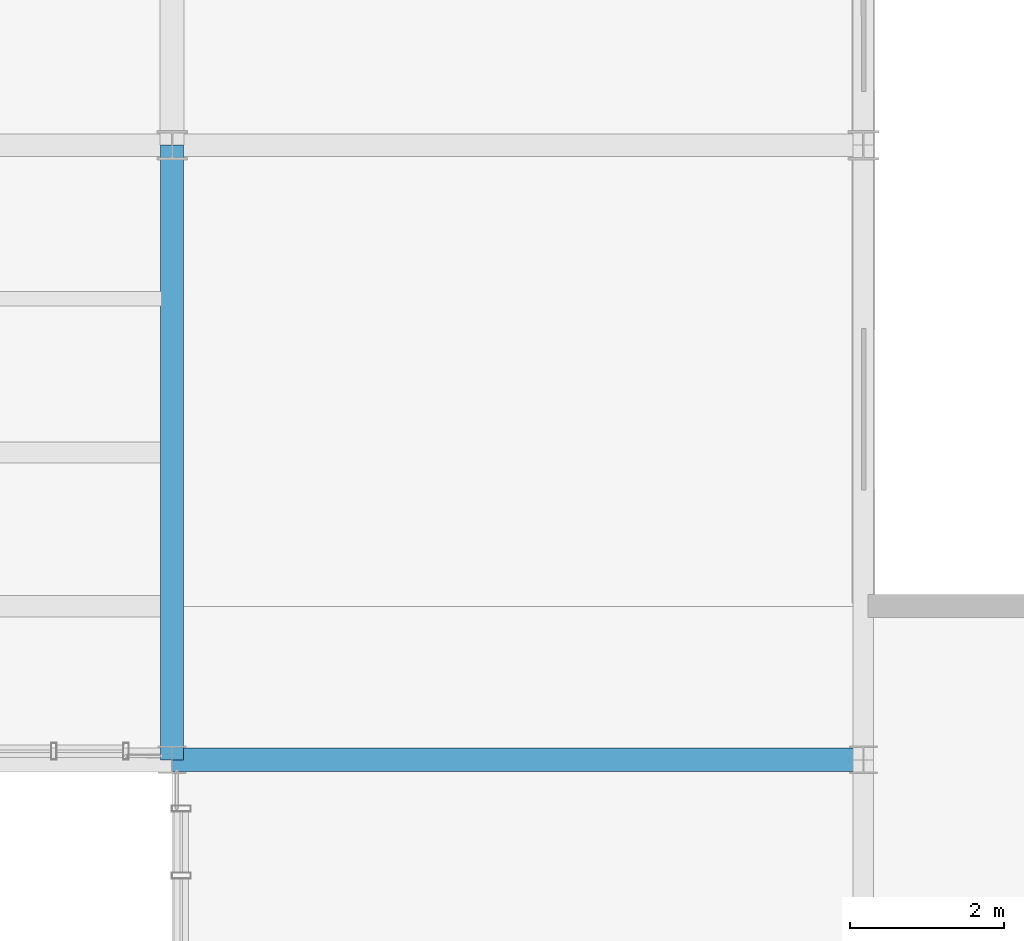
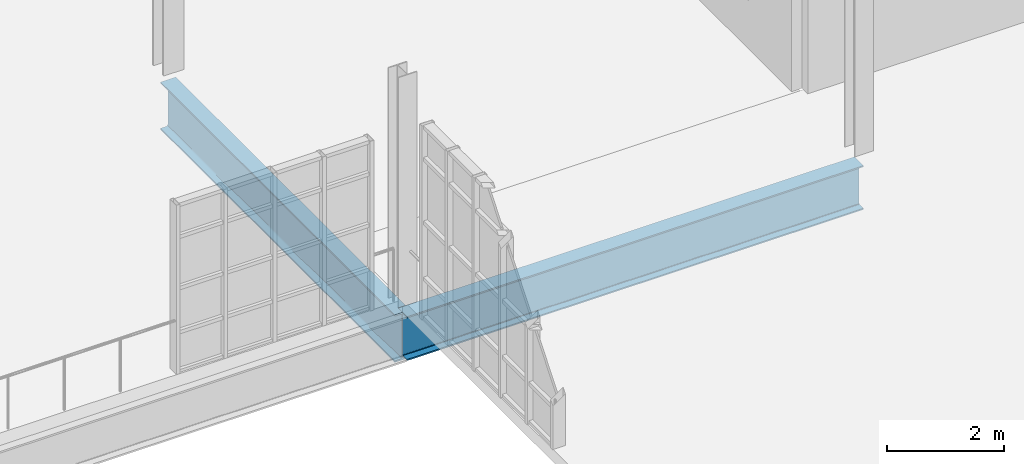
# One storey, part 49 of 118: 2 beams.
"""IFC4 building model written with IfcOpenShell, lengths in metres."""

from ifc_helpers import new_model, si_unit, direction, frame, origin, origin_2d, place, context, subcontext, project, spatial, i_section, extrude, material, material_profile, profile_set, type_object, element, save


model = new_model("IFC4")

# Units and contexts
model_context = context("Model", 3, precision=1e-05, world=origin(), true_north=direction((0.0, 1.0)))
body_context = subcontext(model_context, "Body", "Model", "MODEL_VIEW")
ifc_project = project(units=[si_unit("LENGTHUNIT", "METRE"), si_unit("AREAUNIT", "SQUARE_METRE"), si_unit("VOLUMEUNIT", "CUBIC_METRE"), si_unit("PLANEANGLEUNIT", "RADIAN"), si_unit("MASSUNIT", "GRAM", prefix="KILO"), si_unit("THERMODYNAMICTEMPERATUREUNIT", "KELVIN"), si_unit("POWERUNIT", "WATT")], contexts=[model_context])

# Site, building, storey
site_placement = place(None, origin())
site = spatial("IfcSite", under=ifc_project, at=site_placement, CompositionType="ELEMENT")
building_placement = place(site_placement, origin())
building = spatial("IfcBuilding", under=site, at=building_placement, Name="Zelmaris Science Centre", CompositionType="ELEMENT")
storey_placement = place(building_placement, frame((0.0, 0.0, 15.60009765625)))
storey = spatial("IfcBuildingStorey", under=building, at=storey_placement, Name="L03", CompositionType="ELEMENT", Elevation=15.60009765625)

# Beams
ifc_material = material(Name="Steel ASTM A992 Grade 50", Category="steel")
ifc_material_profile_1 = material_profile(ifc_material, i_section(OverallWidth=0.300048828125, OverallDepth=0.990966796875, WebThickness=0.0166015625, FlangeThickness=0.030517578125, FilletRadius=0.02490234375, at=origin_2d()), Name="W40X183")
ifc_profile_set_1 = profile_set([ifc_material_profile_1], Name="Steel ASTM A992 Grade 50")
beam_type_1 = type_object("IfcBeamType", Name="Beam G-24 W40X183", PredefinedType="BEAM", material=ifc_profile_set_1)
beam_1_placement = place(storey_placement, frame((99.0, 64.0, -0.755615234375), z_axis=(0.0, 1.0, 0.0), x_axis=(-1.0, 0.0, 0.0)))
element("IfcBeam", 1, at=beam_1_placement, inside=storey, type_object=beam_type_1, Name="L03 North-south girder 695", PredefinedType="BEAM", context=body_context, shape_type="SweptSolid", body=[
    extrude(i_section(OverallWidth=0.300048828125, OverallDepth=0.990966796875, WebThickness=0.0166015625, FlangeThickness=0.030517578125, FilletRadius=0.02490234375, at=origin_2d()), origin(), (0.0, 0.0, 1.0), 8.0),
])
ifc_material_profile_2 = material_profile(ifc_material, i_section(OverallWidth=0.304931640625, OverallDepth=0.9189453125, WebThickness=0.017333984375, FlangeThickness=0.02783203125, FilletRadius=0.02392578125, at=origin_2d()), Name="W36X170")
ifc_profile_set_2 = profile_set([ifc_material_profile_2], Name="Steel ASTM A992 Grade 50")
beam_type_2 = type_object("IfcBeamType", Name="Beam G-26 W36X170", PredefinedType="BEAM", material=ifc_profile_set_2)
beam_2_placement = place(storey_placement, frame((99.0, 64.0, -0.719482421875), z_axis=(1.0, 0.0, 0.0), x_axis=(0.0, 1.0, 0.0)))
element("IfcBeam", 2, at=beam_2_placement, inside=storey, type_object=beam_type_2, Name="L03 East-west girder 759", PredefinedType="BEAM", context=body_context, shape_type="SweptSolid", body=[
    extrude(i_section(OverallWidth=0.304931640625, OverallDepth=0.9189453125, WebThickness=0.017333984375, FlangeThickness=0.02783203125, FilletRadius=0.02392578125, at=origin_2d()), origin(), (0.0, 0.0, 1.0), 9.0),
])

save(model, "model.ifc")
